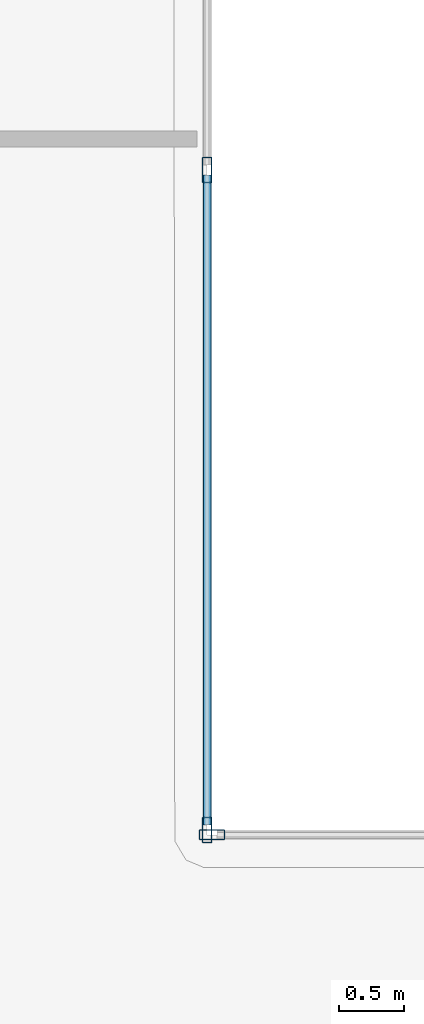
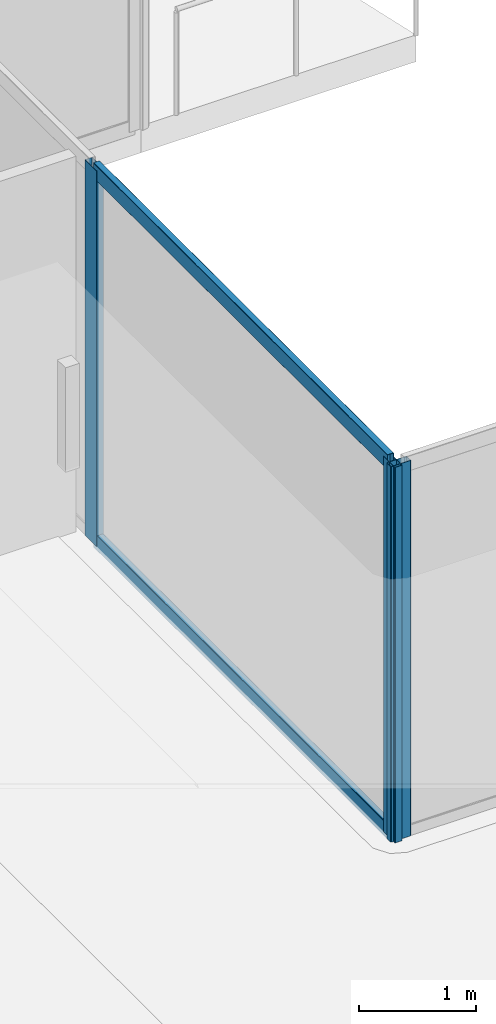
# One storey, part 13 of 47: 5 members, 2 elements without a shape of their own.
"""IFC4 building model written with IfcOpenShell, lengths in metres."""

import ifcopenshell
import ifcopenshell.guid

model = None  # the IFC model being written
_history = None  # IfcOwnerHistory: only IFC2X3 demands one
_inside = {}  # id of a spatial element -> (the spatial element, [elements in it])
_under = {}  # id of a project, library or spatial element -> (it, [spatial elements below it])
_declared = {}  # id of a project -> (the project, [libraries it declares])
_typed = {}  # id of a type object -> (the type object, [elements of that type])
_made_of = {}  # id of a material, layer set ... -> (it, [elements and type objects made of it])


def new_model(schema):
    """Start an empty IFC model of exactly this schema.

    Asked for "IFC4X3", IfcOpenShell would pick the latest addendum, in which some entities
    have other attributes; the version numbers below select the first issue.
    IFC2X3 requires an IfcOwnerHistory on every rooted entity: one is made here for all.
    """
    global model, _history
    if schema == "IFC4X3":
        model = ifcopenshell.file(schema_version=(4, 3, 0, 0))
    else:
        model = ifcopenshell.file(schema=schema)
    _inside.clear()
    _under.clear()
    _declared.clear()
    _typed.clear()
    _made_of.clear()
    _history = None
    if model.schema == "IFC2X3":
        org = make("IfcOrganization", Name="unknown")
        user = make(
            "IfcPersonAndOrganization",
            ThePerson=make("IfcPerson", FamilyName="unknown"),
            TheOrganization=org,
        )
        app = make(
            "IfcApplication",
            ApplicationDeveloper=org,
            Version="unknown",
            ApplicationFullName="unknown",
            ApplicationIdentifier="unknown",
        )
        _history = make(
            "IfcOwnerHistory",
            OwningUser=user,
            OwningApplication=app,
            ChangeAction="ADDED",
            CreationDate=0,
        )
    return model


def make(cls, **values):
    """One entity of the class cls with the attributes given. An attribute that is None is left unset."""
    return model.create_entity(
        cls, **{name: value for name, value in values.items() if value is not None}
    )


def rooted(cls, **values):
    """An entity with a GlobalId (a new one), such as an element, a storey or a relation."""
    return make(cls, GlobalId=ifcopenshell.guid.new(), OwnerHistory=_history, **values)


def si_unit(unit_type, name, prefix=None):
    """IfcSIUnit, for example si_unit("LENGTHUNIT", "METRE", prefix="MILLI")."""
    return make("IfcSIUnit", UnitType=unit_type, Prefix=prefix, Name=name)


def assignment(units):
    """IfcUnitAssignment: the units of a project."""
    return None if units is None else make("IfcUnitAssignment", Units=units)


def point(xyz):
    """IfcCartesianPoint."""
    return None if xyz is None else make("IfcCartesianPoint", Coordinates=xyz)


def direction(xyz):
    """IfcDirection."""
    return None if xyz is None else make("IfcDirection", DirectionRatios=xyz)


def frame(location, z_axis=None, x_axis=None):
    """IfcAxis2Placement3D, a coordinate frame: its origin and axes. An axis left out is left unset."""
    return make(
        "IfcAxis2Placement3D",
        Location=point(location),
        Axis=direction(z_axis),
        RefDirection=direction(x_axis),
    )


def frame_2d(location, x_axis=None):
    """IfcAxis2Placement2D, a coordinate frame in the plane: its origin and x axis."""
    return make(
        "IfcAxis2Placement2D", Location=point(location), RefDirection=direction(x_axis)
    )


def origin():
    """The frame at (0, 0, 0) with its axes left unset."""
    return frame((0.0, 0.0, 0.0))


def origin_2d():
    """The frame at (0, 0) in the plane with its x axis left unset."""
    return frame_2d((0.0, 0.0))


def place(relative_to, where):
    """IfcLocalPlacement: puts the frame where relative to a parent placement (None: the world)."""
    return make(
        "IfcLocalPlacement", PlacementRelTo=relative_to, RelativePlacement=where
    )


def context(
    kind, dimensions, precision=None, world=None, true_north=None, identifier=None
):
    """IfcGeometricRepresentationContext, for example the 3D "Model" context."""
    return make(
        "IfcGeometricRepresentationContext",
        ContextIdentifier=identifier,
        ContextType=kind,
        CoordinateSpaceDimension=dimensions,
        Precision=precision,
        WorldCoordinateSystem=world,
        TrueNorth=true_north,
    )


def subcontext(parent, identifier, kind, view, scale=None):
    """IfcGeometricRepresentationSubContext, for example "Body" below "Model"."""
    return make(
        "IfcGeometricRepresentationSubContext",
        ContextIdentifier=identifier,
        ContextType=kind,
        ParentContext=parent,
        TargetScale=scale,
        TargetView=view,
    )


def project(units=None, contexts=None):
    """IfcProject with its units and contexts."""
    return rooted(
        "IfcProject",
        Name="project",
        RepresentationContexts=contexts,
        UnitsInContext=assignment(units),
    )


def spatial(cls, under=None, at=None, **own):
    """A site, building, storey or space (cls), placed at a placement, below another one or the project."""
    s = rooted(cls, ObjectPlacement=at, **own)
    if under is not None:
        _under.setdefault(under.id(), (under, []))[1].append(s)
    return s


def profile(cls, at=None, kind="AREA", **sizes):
    """A parametric profile (cls). Its sizes go by their IFC names, for example OverallWidth=200.0."""
    return make(cls, ProfileType=kind, Position=at, **sizes)


def hollow_rectangle(**sizes):
    """IfcRectangleHollowProfileDef."""
    return profile("IfcRectangleHollowProfileDef", **sizes)


def extrude(swept, where, along, depth):
    """IfcExtrudedAreaSolid: the profile swept, set in the frame where, extruded along a direction by depth."""
    return make(
        "IfcExtrudedAreaSolid",
        SweptArea=swept,
        Position=where,
        ExtrudedDirection=direction(along),
        Depth=depth,
    )


def shape(context_of_items, identifier, shape_type, items):
    """IfcShapeRepresentation: the items that make up one representation, for example the "Body"."""
    return make(
        "IfcShapeRepresentation",
        ContextOfItems=context_of_items,
        RepresentationIdentifier=identifier,
        RepresentationType=shape_type,
        Items=items,
    )


def material(Name=None, Category=None):
    """IfcMaterial."""
    return make("IfcMaterial", Name=Name, Category=Category)


def layer(
    of_material, thickness, ventilated=None, Name=None, Category=None, Priority=None
):
    """IfcMaterialLayer: one layer of a wall or slab, of a material (None: an air gap)."""
    return make(
        "IfcMaterialLayer",
        Material=of_material,
        LayerThickness=thickness,
        IsVentilated=ventilated,
        Name=Name,
        Category=Category,
        Priority=Priority,
    )


def layer_set(layers, Name=None):
    """IfcMaterialLayerSet."""
    return make("IfcMaterialLayerSet", MaterialLayers=layers, LayerSetName=Name)


def material_profile(
    of_material, cross_section, Name=None, Category=None, Priority=None
):
    """IfcMaterialProfile: a cross section and its material."""
    return make(
        "IfcMaterialProfile",
        Name=Name,
        Material=of_material,
        Profile=cross_section,
        Priority=Priority,
        Category=Category,
    )


def profile_set(profiles, Name=None, composite=None):
    """IfcMaterialProfileSet."""
    return make(
        "IfcMaterialProfileSet",
        Name=Name,
        MaterialProfiles=profiles,
        CompositeProfile=composite,
    )


def made_of(thing, what):
    """Note that an element or type object is made of a material, layer set ...; save() writes the relation."""
    if what is not None:
        _made_of.setdefault(what.id(), (what, []))[1].append(thing)
    return thing


def type_object(cls, material=None, **own):
    """A type object (cls), such as IfcWallType, which elements share."""
    return made_of(rooted(cls, **own), material)


def element(
    cls,
    number,
    at=None,
    inside=None,
    cuts=None,
    type_object=None,
    material=None,
    context=None,
    identifier="Body",
    shape_type=None,
    held_by="IfcProductDefinitionShape",
    body=None,
    shapes=None,
    **own,
):
    """One element of the class cls, such as IfcWall. Its Tag is "e" and its number.

    at: its placement. inside: the storey or other place that contains it. cuts: it is an
    opening in that element (IfcRelVoidsElement). A single representation is given by context,
    identifier, shape_type and body (its items); several are given by shapes. held_by: the class
    of the entity that holds the representations. save() writes the other relations.
    """
    e = rooted(cls, Tag="e%d" % number, ObjectPlacement=at, **own)
    if body is not None:
        shapes = [shape(context, identifier, shape_type, body)]
    if shapes is not None:
        e.Representation = make(held_by, Representations=shapes)
    if inside is not None:
        _inside.setdefault(inside.id(), (inside, []))[1].append(e)
    if cuts is not None:
        rooted(
            "IfcRelVoidsElement", RelatingBuildingElement=cuts, RelatedOpeningElement=e
        )
    if type_object is not None:
        _typed.setdefault(type_object.id(), (type_object, []))[1].append(e)
    return made_of(e, material)


def aggregate(whole, parts):
    """IfcRelAggregates: a whole, such as a stair, and the parts it consists of."""
    return rooted("IfcRelAggregates", RelatingObject=whole, RelatedObjects=parts)


def save(model, path):
    """Write the relations noted so far, then the file.

    IfcRelAggregates (storeys below a building ...), IfcRelContainedInSpatialStructure (elements
    in a storey), IfcRelDefinesByType, IfcRelAssociatesMaterial and IfcRelDeclares: one each for
    every whole, place, type object, material and project.
    """
    for whole, parts in _under.values():
        aggregate(whole, parts)
    for where, things in _inside.values():
        rooted(
            "IfcRelContainedInSpatialStructure",
            RelatedElements=things,
            RelatingStructure=where,
        )
    for kind, things in _typed.values():
        rooted("IfcRelDefinesByType", RelatedObjects=things, RelatingType=kind)
    for what, things in _made_of.values():
        rooted("IfcRelAssociatesMaterial", RelatedObjects=things, RelatingMaterial=what)
    for by, libraries in _declared.values():
        rooted("IfcRelDeclares", RelatingContext=by, RelatedDefinitions=libraries)
    model.write(path)


model = new_model("IFC4")

# Units and contexts
model_context = context("Model", 3, precision=1e-05, world=origin(), true_north=direction((0.0, 1.0)))
body_context = subcontext(model_context, "Body", "Model", "MODEL_VIEW")
ifc_project = project(units=[si_unit("LENGTHUNIT", "METRE"), si_unit("AREAUNIT", "SQUARE_METRE"), si_unit("VOLUMEUNIT", "CUBIC_METRE"), si_unit("PLANEANGLEUNIT", "RADIAN"), si_unit("MASSUNIT", "GRAM", prefix="KILO")], contexts=[model_context])

# Site, building, storey
site_placement = place(None, origin())
site = spatial("IfcSite", under=ifc_project, at=site_placement, CompositionType="ELEMENT")
building_placement = place(site_placement, origin())
building = spatial("IfcBuilding", under=site, at=building_placement, Name="Qorvath Tower", CompositionType="ELEMENT")
storey_placement = place(building_placement, frame((0.0, 0.0, 82.800048828125)))
storey = spatial("IfcBuildingStorey", under=building, at=storey_placement, Name="L18", CompositionType="ELEMENT", Elevation=82.800048828125)

# Curtain wall, member
ifc_material_1 = material(Name="Anodised aluminium and triple low-E glass", Category="aluminium")
ifc_layer = layer(ifc_material_1, 0.179931640625)
ifc_layer_set = layer_set([ifc_layer], Name="CW-SYS-5")
curtain_wall_type = type_object("IfcCurtainWallType", Name="CW-SYS-5", PredefinedType="NOTDEFINED", material=ifc_layer_set)
curtain_wall_1_placement = place(storey_placement, origin())
curtain_wall_1 = element("IfcCurtainWall", 1, at=curtain_wall_1_placement, inside=storey, type_object=curtain_wall_type, Name="Curtain Wall CW-5 CW-T-L18-12.1", PredefinedType="NOTDEFINED")
ifc_material_2 = material(Name="Anodised aluminium 6063-T6", Category="aluminium")
ifc_material_profile_1 = material_profile(ifc_material_2, hollow_rectangle(XDim=0.074951171875, YDim=0.199951171875, WallThickness=0.00390625, InnerFilletRadius=0.00390625, OuterFilletRadius=0.008056640625, at=origin_2d()), Name="CWM 200x75")
ifc_profile_set_1 = profile_set([ifc_material_profile_1], Name="Anodised aluminium 6063-T6")
member_type_1 = type_object("IfcMemberType", Name="CWM-200", PredefinedType="MULLION", material=ifc_profile_set_1)
member_1_placement = place(storey_placement, frame((2.4716796875, -5.140869140625, 0.0), z_axis=(0.0, 0.0, 1.0), x_axis=(0.0, -1.0, 0.0)))
member_1 = element("IfcMember", 2, at=member_1_placement, type_object=member_type_1, Name="CW-5 mullion 2", PredefinedType="MULLION", context=body_context, shape_type="SweptSolid", body=[
    extrude(hollow_rectangle(XDim=0.074951171875, YDim=0.199951171875, WallThickness=0.00390625, InnerFilletRadius=0.00390625, OuterFilletRadius=0.008056640625, at=origin_2d()), origin(), (0.0, 0.0, 1.0), 3.919921875),
])
aggregate(curtain_wall_1, [member_1])

# Curtain wall, members
curtain_wall_2_placement = place(storey_placement, origin())
curtain_wall_2 = element("IfcCurtainWall", 3, at=curtain_wall_2_placement, inside=storey, type_object=curtain_wall_type, Name="Curtain Wall CW-5 CW-T-L18-13.1", PredefinedType="NOTDEFINED")
member_2_placement = place(storey_placement, frame((2.43408203125, -5.103515625, 0.0), z_axis=(0.0, 0.0, 1.0), x_axis=(-1.0, 0.0, 0.0)))
member_2 = element("IfcMember", 4, at=member_2_placement, type_object=member_type_1, Name="CW-5 mullion 1", PredefinedType="MULLION", context=body_context, shape_type="SweptSolid", body=[
    extrude(hollow_rectangle(XDim=0.074951171875, YDim=0.199951171875, WallThickness=0.00390625, InnerFilletRadius=0.00390625, OuterFilletRadius=0.008056640625, at=origin_2d()), origin(), (0.0, 0.0, 1.0), 3.919921875),
])
member_3_placement = place(storey_placement, frame((2.43408203125, 0.0, 0.0), z_axis=(0.0, 0.0, 1.0), x_axis=(-1.0, 0.0, 0.0)))
member_3 = element("IfcMember", 5, at=member_3_placement, type_object=member_type_1, Name="CW-5 mullion 2", PredefinedType="MULLION", context=body_context, shape_type="SweptSolid", body=[
    extrude(hollow_rectangle(XDim=0.074951171875, YDim=0.199951171875, WallThickness=0.00390625, InnerFilletRadius=0.00390625, OuterFilletRadius=0.008056640625, at=origin_2d()), origin(), (0.0, 0.0, 1.0), 3.919921875),
])
ifc_material_3 = material(Name="Anodised aluminium 6063-T6", Category="aluminium")
ifc_material_profile_2 = material_profile(ifc_material_3, hollow_rectangle(XDim=0.06494140625, YDim=0.159912109375, WallThickness=0.00341796875, InnerFilletRadius=0.00341796875, OuterFilletRadius=0.007080078125, at=origin_2d()), Name="CWT 160x65")
ifc_profile_set_2 = profile_set([ifc_material_profile_2], Name="Anodised aluminium 6063-T6")
member_type_2 = type_object("IfcMemberType", Name="CWT-160", PredefinedType="USERDEFINED", material=ifc_profile_set_2)
member_4_placement = place(storey_placement, frame((2.43408203125, -5.06591796875, 0.032470703125), z_axis=(0.0, 1.0, 0.0), x_axis=(-1.0, 0.0, 0.0)))
member_4 = element("IfcMember", 6, at=member_4_placement, type_object=member_type_2, Name="CW-5 transom 1.1", ObjectType="TRANSOM", PredefinedType="USERDEFINED", context=body_context, shape_type="SweptSolid", body=[
    extrude(hollow_rectangle(XDim=0.06494140625, YDim=0.159912109375, WallThickness=0.00341796875, InnerFilletRadius=0.00341796875, OuterFilletRadius=0.007080078125, at=origin_2d()), origin(), (0.0, 0.0, 1.0), 5.0283203125),
])
member_5_placement = place(storey_placement, frame((2.43408203125, -5.06591796875, 3.887451171875), z_axis=(0.0, 1.0, 0.0), x_axis=(-1.0, 0.0, 0.0)))
member_5 = element("IfcMember", 7, at=member_5_placement, type_object=member_type_2, Name="CW-5 transom 1.2", ObjectType="TRANSOM", PredefinedType="USERDEFINED", context=body_context, shape_type="SweptSolid", body=[
    extrude(hollow_rectangle(XDim=0.06494140625, YDim=0.159912109375, WallThickness=0.00341796875, InnerFilletRadius=0.00341796875, OuterFilletRadius=0.007080078125, at=origin_2d()), origin(), (0.0, 0.0, 1.0), 5.0283203125),
])
aggregate(curtain_wall_2, [member_2, member_3, member_4, member_5])

save(model, "model.ifc")
